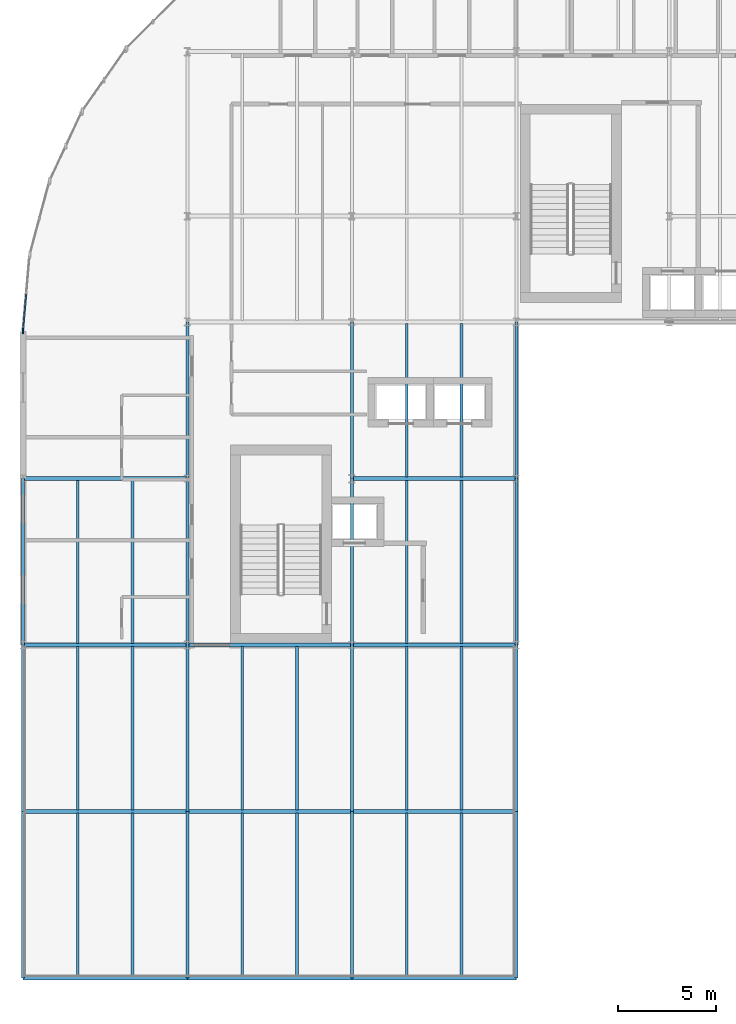
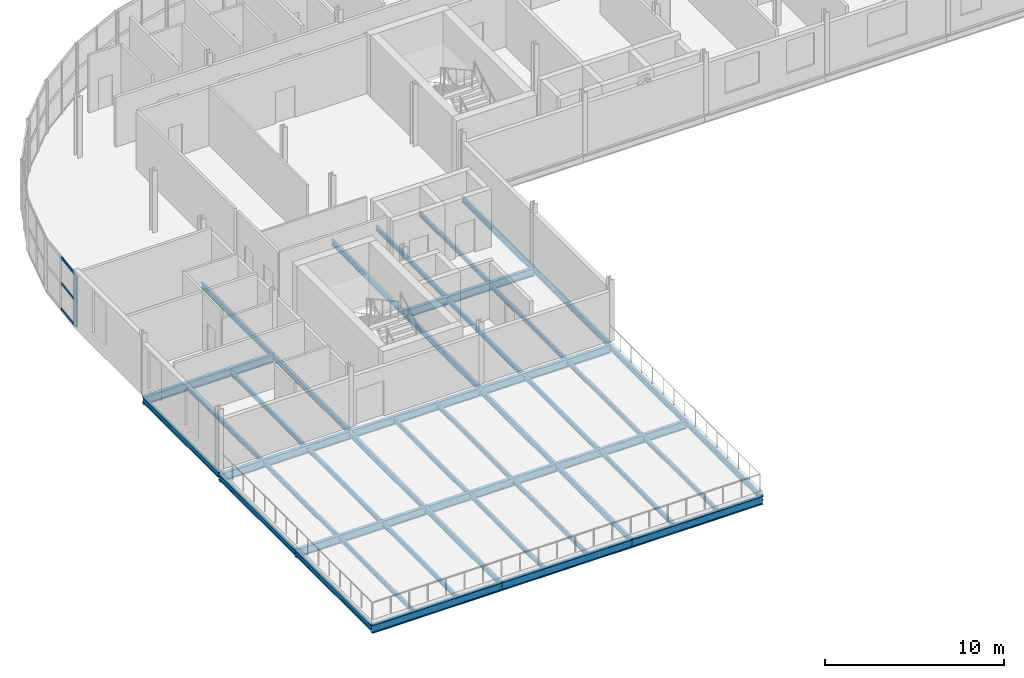
# One storey, part 4 of 22: 44 beams, 4 members, 1 element without a shape of its own.
"""IFC4 building model written with IfcOpenShell, lengths in metres."""

from ifc_helpers import new_model, si_unit, direction, frame, origin, origin_2d, place, context, subcontext, project, spatial, rectangle, i_section, extrude, material, layer, layer_set, material_profile, profile_set, type_object, element, aggregate, save


model = new_model("IFC4")

# Units and contexts
model_context = context("Model", 3, precision=1e-05, world=origin(), true_north=direction((0.0, 1.0)))
body_context = subcontext(model_context, "Body", "Model", "MODEL_VIEW")
ifc_project = project(units=[si_unit("LENGTHUNIT", "METRE"), si_unit("AREAUNIT", "SQUARE_METRE"), si_unit("VOLUMEUNIT", "CUBIC_METRE"), si_unit("PLANEANGLEUNIT", "RADIAN"), si_unit("MASSUNIT", "GRAM", prefix="KILO")], contexts=[model_context])

# Site, building, storey
site_placement = place(None, origin())
site = spatial("IfcSite", under=ifc_project, at=site_placement, CompositionType="ELEMENT")
building_placement = place(site_placement, origin())
building = spatial("IfcBuilding", under=site, at=building_placement, Name="Sefraquen Railside Congress Hotel", CompositionType="ELEMENT")
storey_placement = place(building_placement, frame((0.0, 0.0, 42.60009765625)))
storey = spatial("IfcBuildingStorey", under=building, at=storey_placement, Name="L10", CompositionType="ELEMENT", Elevation=42.60009765625)

# Beams
ifc_material_1 = material(Name="Steel S355JR", Category="steel")
ifc_material_profile_1 = material_profile(ifc_material_1, i_section(OverallWidth=0.169921875, OverallDepth=0.360107421875, WebThickness=0.008056640625, FlangeThickness=0.0126953125, FilletRadius=0.01806640625, at=origin_2d()), Name="IPE 360")
ifc_profile_set_1 = profile_set([ifc_material_profile_1], Name="Steel S355JR")
beam_type_1 = type_object("IfcBeamType", Name="TB-BM-360", PredefinedType="BEAM", material=ifc_profile_set_1)
for number, where, z_axis, x_axis, name in (
    (1, (0.0, 62.5, -0.5), (0.0, 1.0, 0.0), (-1.0, 0.0, 0.0), "Floor beam BM-L10-2100"),
    (2, (0.0, 71.0, -0.5), (0.0, 1.0, 0.0), (-1.0, 0.0, 0.0), "Floor beam BM-L10-2101"),
    (3, (0.0, 79.5, -0.400146484375), (0.0, 1.0, 0.0), (-1.0, 0.0, 0.0), "Floor beam BM-L10-2102"),
    (4, (8.39990234375, 62.5, -0.5), (0.0, 1.0, 0.0), (-1.0, 0.0, 0.0), "Floor beam BM-L10-2103"),
    (5, (8.39990234375, 71.0, -0.5), (0.0, 1.0, 0.0), (-1.0, 0.0, 0.0), "Floor beam BM-L10-2104"),
    (6, (8.39990234375, 79.5, -0.400146484375), (0.0, 1.0, 0.0), (-1.0, 0.0, 0.0), "Floor beam BM-L10-2105"),
):
    element("IfcBeam", number, at=place(storey_placement, frame(where, z_axis=z_axis, x_axis=x_axis)), inside=storey, type_object=beam_type_1, Name=name, PredefinedType="BEAM", context=body_context, shape_type="SweptSolid", body=[
        extrude(i_section(OverallWidth=0.169921875, OverallDepth=0.360107421875, WebThickness=0.008056640625, FlangeThickness=0.0126953125, FilletRadius=0.01806640625, at=origin_2d()), origin(), (0.0, 0.0, 1.0), 8.5),
    ])
beam_1_placement = place(storey_placement, frame((8.39990234375, 88.0, -0.400146484375), z_axis=(0.0, 1.0, 0.0), x_axis=(-1.0, 0.0, 0.0)))
element("IfcBeam", 7, at=beam_1_placement, inside=storey, type_object=beam_type_1, Name="Floor beam BM-L10-2106", PredefinedType="BEAM", context=body_context, shape_type="SweptSolid", body=[
    extrude(i_section(OverallWidth=0.169921875, OverallDepth=0.360107421875, WebThickness=0.008056640625, FlangeThickness=0.0126953125, FilletRadius=0.01806640625, at=origin_2d()), origin(), (0.0, 0.0, 1.0), 8.0),
])
for number, where, z_axis, x_axis, name in (
    (8, (16.800048828125, 62.5, -0.5), (0.0, 1.0, 0.0), (-1.0, 0.0, 0.0), "Floor beam BM-L10-2109"),
    (9, (16.800048828125, 71.0, -0.5), (0.0, 1.0, 0.0), (-1.0, 0.0, 0.0), "Floor beam BM-L10-2110"),
    (10, (16.800048828125, 79.5, -0.400146484375), (0.0, 1.0, 0.0), (-1.0, 0.0, 0.0), "Floor beam BM-L10-2111"),
):
    element("IfcBeam", number, at=place(storey_placement, frame(where, z_axis=z_axis, x_axis=x_axis)), inside=storey, type_object=beam_type_1, Name=name, PredefinedType="BEAM", context=body_context, shape_type="SweptSolid", body=[
        extrude(i_section(OverallWidth=0.169921875, OverallDepth=0.360107421875, WebThickness=0.008056640625, FlangeThickness=0.0126953125, FilletRadius=0.01806640625, at=origin_2d()), origin(), (0.0, 0.0, 1.0), 8.5),
    ])
beam_2_placement = place(storey_placement, frame((16.800048828125, 88.0, -0.400146484375), z_axis=(0.0, 1.0, 0.0), x_axis=(-1.0, 0.0, 0.0)))
element("IfcBeam", 11, at=beam_2_placement, inside=storey, type_object=beam_type_1, Name="Floor beam BM-L10-2112", PredefinedType="BEAM", context=body_context, shape_type="SweptSolid", body=[
    extrude(i_section(OverallWidth=0.169921875, OverallDepth=0.360107421875, WebThickness=0.008056640625, FlangeThickness=0.0126953125, FilletRadius=0.01806640625, at=origin_2d()), origin(), (0.0, 0.0, 1.0), 8.0),
])
for number, where, z_axis, x_axis, name in (
    (12, (25.199951171875, 62.5, -0.5), (0.0, 1.0, 0.0), (-1.0, 0.0, 0.0), "Floor beam BM-L10-2115"),
    (13, (25.199951171875, 71.0, -0.5), (0.0, 1.0, 0.0), (-1.0, 0.0, 0.0), "Floor beam BM-L10-2116"),
    (14, (25.199951171875, 79.5, -0.400146484375), (0.0, 1.0, 0.0), (-1.0, 0.0, 0.0), "Floor beam BM-L10-2117"),
):
    element("IfcBeam", number, at=place(storey_placement, frame(where, z_axis=z_axis, x_axis=x_axis)), inside=storey, type_object=beam_type_1, Name=name, PredefinedType="BEAM", context=body_context, shape_type="SweptSolid", body=[
        extrude(i_section(OverallWidth=0.169921875, OverallDepth=0.360107421875, WebThickness=0.008056640625, FlangeThickness=0.0126953125, FilletRadius=0.01806640625, at=origin_2d()), origin(), (0.0, 0.0, 1.0), 8.5),
    ])
beam_3_placement = place(storey_placement, frame((25.199951171875, 88.0, -0.400146484375), z_axis=(0.0, 1.0, 0.0), x_axis=(-1.0, 0.0, 0.0)))
element("IfcBeam", 15, at=beam_3_placement, inside=storey, type_object=beam_type_1, Name="Floor beam BM-L10-2118", PredefinedType="BEAM", context=body_context, shape_type="SweptSolid", body=[
    extrude(i_section(OverallWidth=0.169921875, OverallDepth=0.360107421875, WebThickness=0.008056640625, FlangeThickness=0.0126953125, FilletRadius=0.01806640625, at=origin_2d()), origin(), (0.0, 0.0, 1.0), 8.0),
])
ifc_material_profile_2 = material_profile(ifc_material_1, i_section(OverallWidth=0.2099609375, OverallDepth=0.550048828125, WebThickness=0.010986328125, FlangeThickness=0.01708984375, FilletRadius=0.02392578125, at=origin_2d()), Name="IPE 550")
ifc_profile_set_2 = profile_set([ifc_material_profile_2], Name="Steel S355JR")
beam_type_2 = type_object("IfcBeamType", Name="TB-GIR-550", PredefinedType="T_BEAM", material=ifc_profile_set_2)
beam_4_placement = place(storey_placement, frame((0.0, 62.5, -0.59521484375), z_axis=(1.0, 0.0, 0.0), x_axis=(0.0, 1.0, 0.0)))
element("IfcBeam", 16, at=beam_4_placement, inside=storey, type_object=beam_type_2, Name="Primary girder BM-L10-2049", PredefinedType="T_BEAM", context=body_context, shape_type="SweptSolid", body=[
    extrude(i_section(OverallWidth=0.2099609375, OverallDepth=0.550048828125, WebThickness=0.010986328125, FlangeThickness=0.01708984375, FilletRadius=0.02392578125, at=origin_2d()), origin(), (0.0, 0.0, 1.0), 8.39990234375),
])
beam_5_placement = place(storey_placement, frame((8.39990234375, 62.5, -0.59521484375), z_axis=(1.0, 0.0, 0.0), x_axis=(0.0, 1.0, 0.0)))
element("IfcBeam", 17, at=beam_5_placement, inside=storey, type_object=beam_type_2, Name="Primary girder BM-L10-2050", PredefinedType="T_BEAM", context=body_context, shape_type="SweptSolid", body=[
    extrude(i_section(OverallWidth=0.2099609375, OverallDepth=0.550048828125, WebThickness=0.010986328125, FlangeThickness=0.01708984375, FilletRadius=0.02392578125, at=origin_2d()), origin(), (0.0, 0.0, 1.0), 8.400146484375),
])
for number, where, z_axis, x_axis, name in (
    (18, (16.800048828125, 62.5, -0.59521484375), (1.0, 0.0, 0.0), (0.0, 1.0, 0.0), "Primary girder BM-L10-2051"),
    (19, (0.0, 71.0, -0.59521484375), (1.0, 0.0, 0.0), (0.0, 1.0, 0.0), "Primary girder BM-L10-2052"),
):
    element("IfcBeam", number, at=place(storey_placement, frame(where, z_axis=z_axis, x_axis=x_axis)), inside=storey, type_object=beam_type_2, Name=name, PredefinedType="T_BEAM", context=body_context, shape_type="SweptSolid", body=[
        extrude(i_section(OverallWidth=0.2099609375, OverallDepth=0.550048828125, WebThickness=0.010986328125, FlangeThickness=0.01708984375, FilletRadius=0.02392578125, at=origin_2d()), origin(), (0.0, 0.0, 1.0), 8.39990234375),
    ])
beam_6_placement = place(storey_placement, frame((8.39990234375, 71.0, -0.59521484375), z_axis=(1.0, 0.0, 0.0), x_axis=(0.0, 1.0, 0.0)))
element("IfcBeam", 20, at=beam_6_placement, inside=storey, type_object=beam_type_2, Name="Primary girder BM-L10-2053", PredefinedType="T_BEAM", context=body_context, shape_type="SweptSolid", body=[
    extrude(i_section(OverallWidth=0.2099609375, OverallDepth=0.550048828125, WebThickness=0.010986328125, FlangeThickness=0.01708984375, FilletRadius=0.02392578125, at=origin_2d()), origin(), (0.0, 0.0, 1.0), 8.400146484375),
])
for number, where, z_axis, x_axis, name in (
    (21, (16.800048828125, 71.0, -0.59521484375), (1.0, 0.0, 0.0), (0.0, 1.0, 0.0), "Primary girder BM-L10-2054"),
    (22, (0.0, 79.5, -0.59521484375), (1.0, 0.0, 0.0), (0.0, 1.0, 0.0), "Primary girder BM-L10-2055"),
):
    element("IfcBeam", number, at=place(storey_placement, frame(where, z_axis=z_axis, x_axis=x_axis)), inside=storey, type_object=beam_type_2, Name=name, PredefinedType="T_BEAM", context=body_context, shape_type="SweptSolid", body=[
        extrude(i_section(OverallWidth=0.2099609375, OverallDepth=0.550048828125, WebThickness=0.010986328125, FlangeThickness=0.01708984375, FilletRadius=0.02392578125, at=origin_2d()), origin(), (0.0, 0.0, 1.0), 8.39990234375),
    ])
beam_7_placement = place(storey_placement, frame((8.39990234375, 79.5, -0.59521484375), z_axis=(1.0, 0.0, 0.0), x_axis=(0.0, 1.0, 0.0)))
element("IfcBeam", 23, at=beam_7_placement, inside=storey, type_object=beam_type_2, Name="Primary girder BM-L10-2056", PredefinedType="T_BEAM", context=body_context, shape_type="SweptSolid", body=[
    extrude(i_section(OverallWidth=0.2099609375, OverallDepth=0.550048828125, WebThickness=0.010986328125, FlangeThickness=0.01708984375, FilletRadius=0.02392578125, at=origin_2d()), origin(), (0.0, 0.0, 1.0), 8.400146484375),
])
for number, where, z_axis, x_axis, name in (
    (24, (16.800048828125, 79.5, -0.59521484375), (1.0, 0.0, 0.0), (0.0, 1.0, 0.0), "Primary girder BM-L10-2057"),
    (25, (0.0, 88.0, -0.4951171875), (1.0, 0.0, 0.0), (0.0, 1.0, 0.0), "Primary girder BM-L10-2058"),
    (26, (16.800048828125, 88.0, -0.4951171875), (1.0, 0.0, 0.0), (0.0, 1.0, 0.0), "Primary girder BM-L10-2059"),
):
    element("IfcBeam", number, at=place(storey_placement, frame(where, z_axis=z_axis, x_axis=x_axis)), inside=storey, type_object=beam_type_2, Name=name, PredefinedType="T_BEAM", context=body_context, shape_type="SweptSolid", body=[
        extrude(i_section(OverallWidth=0.2099609375, OverallDepth=0.550048828125, WebThickness=0.010986328125, FlangeThickness=0.01708984375, FilletRadius=0.02392578125, at=origin_2d()), origin(), (0.0, 0.0, 1.0), 8.39990234375),
    ])
ifc_material_profile_3 = material_profile(ifc_material_1, i_section(OverallWidth=0.14990234375, OverallDepth=0.300048828125, WebThickness=0.007080078125, FlangeThickness=0.0107421875, FilletRadius=0.014892578125, at=origin_2d()), Name="IPE 300")
ifc_profile_set_3 = profile_set([ifc_material_profile_3], Name="Steel S355JR")
beam_type_3 = type_object("IfcBeamType", Name="TB-JST-300", PredefinedType="JOIST", material=ifc_profile_set_3)
for number, where, z_axis, x_axis, name in (
    (27, (2.800048828125, 62.5849609375, -0.47021484375), (0.0, 1.0, 0.0), (-1.0, 0.0, 0.0), "Composite floor joist BM-L10-J1396"),
    (28, (5.60009765625, 62.5849609375, -0.47021484375), (0.0, 1.0, 0.0), (-1.0, 0.0, 0.0), "Composite floor joist BM-L10-J1397"),
    (29, (2.800048828125, 71.0849609375, -0.47021484375), (0.0, 1.0, 0.0), (-1.0, 0.0, 0.0), "Composite floor joist BM-L10-J1398"),
    (30, (5.60009765625, 71.0849609375, -0.47021484375), (0.0, 1.0, 0.0), (-1.0, 0.0, 0.0), "Composite floor joist BM-L10-J1399"),
    (31, (2.800048828125, 79.5849609375, -0.47021484375), (0.0, 1.0, 0.0), (-1.0, 0.0, 0.0), "Composite floor joist BM-L10-J1400"),
    (32, (5.60009765625, 79.5849609375, -0.47021484375), (0.0, 1.0, 0.0), (-1.0, 0.0, 0.0), "Composite floor joist BM-L10-J1401"),
    (33, (11.199951171875, 62.5849609375, -0.47021484375), (0.0, 1.0, 0.0), (-1.0, 0.0, 0.0), "Composite floor joist BM-L10-J1402"),
    (34, (14.0, 62.5849609375, -0.47021484375), (0.0, 1.0, 0.0), (-1.0, 0.0, 0.0), "Composite floor joist BM-L10-J1403"),
    (35, (11.199951171875, 71.0849609375, -0.47021484375), (0.0, 1.0, 0.0), (-1.0, 0.0, 0.0), "Composite floor joist BM-L10-J1404"),
    (36, (14.0, 71.0849609375, -0.47021484375), (0.0, 1.0, 0.0), (-1.0, 0.0, 0.0), "Composite floor joist BM-L10-J1405"),
    (37, (19.60009765625, 62.5849609375, -0.47021484375), (0.0, 1.0, 0.0), (-1.0, 0.0, 0.0), "Composite floor joist BM-L10-J1410"),
    (38, (22.39990234375, 62.5849609375, -0.47021484375), (0.0, 1.0, 0.0), (-1.0, 0.0, 0.0), "Composite floor joist BM-L10-J1411"),
    (39, (19.60009765625, 71.0849609375, -0.47021484375), (0.0, 1.0, 0.0), (-1.0, 0.0, 0.0), "Composite floor joist BM-L10-J1412"),
    (40, (22.39990234375, 71.0849609375, -0.47021484375), (0.0, 1.0, 0.0), (-1.0, 0.0, 0.0), "Composite floor joist BM-L10-J1413"),
    (41, (19.60009765625, 79.5849609375, -0.47021484375), (0.0, 1.0, 0.0), (-1.0, 0.0, 0.0), "Composite floor joist BM-L10-J1414"),
    (42, (22.39990234375, 79.5849609375, -0.47021484375), (0.0, 1.0, 0.0), (-1.0, 0.0, 0.0), "Composite floor joist BM-L10-J1415"),
):
    element("IfcBeam", number, at=place(storey_placement, frame(where, z_axis=z_axis, x_axis=x_axis)), inside=storey, type_object=beam_type_3, Name=name, PredefinedType="JOIST", context=body_context, shape_type="SweptSolid", body=[
        extrude(i_section(OverallWidth=0.14990234375, OverallDepth=0.300048828125, WebThickness=0.007080078125, FlangeThickness=0.0107421875, FilletRadius=0.014892578125, at=origin_2d()), origin(), (0.0, 0.0, 1.0), 8.330078125),
    ])
for number, where, z_axis, x_axis, name in (
    (43, (19.60009765625, 88.0849609375, -0.3701171875), (0.0, 1.0, 0.0), (-1.0, 0.0, 0.0), "Composite floor joist BM-L10-J1416"),
    (44, (22.39990234375, 88.0849609375, -0.3701171875), (0.0, 1.0, 0.0), (-1.0, 0.0, 0.0), "Composite floor joist BM-L10-J1417"),
):
    element("IfcBeam", number, at=place(storey_placement, frame(where, z_axis=z_axis, x_axis=x_axis)), inside=storey, type_object=beam_type_3, Name=name, PredefinedType="JOIST", context=body_context, shape_type="SweptSolid", body=[
        extrude(i_section(OverallWidth=0.14990234375, OverallDepth=0.300048828125, WebThickness=0.007080078125, FlangeThickness=0.0107421875, FilletRadius=0.014892578125, at=origin_2d()), origin(), (0.0, 0.0, 1.0), 7.830078125),
    ])

# Curtain wall, members
ifc_material_2 = material(Name="Thermally broken anodised aluminium and low-E double glazing", Category="aluminium")
ifc_layer = layer(ifc_material_2, 0.199951171875)
ifc_layer_set = layer_set([ifc_layer], Name="Thermally broken anodised aluminium and low-E double glazing")
curtain_wall_type = type_object("IfcCurtainWallType", Name="TCW-UCW-03", PredefinedType="USERDEFINED", material=ifc_layer_set)
curtain_wall_placement = place(storey_placement, origin())
curtain_wall = element("IfcCurtainWall", 45, at=curtain_wall_placement, inside=storey, type_object=curtain_wall_type, Name="Rotunda L10 curved curtain wall facet 9", ObjectType="UNITISED CURTAIN WALL", PredefinedType="USERDEFINED")
ifc_material_3 = material(Name="Thermally broken anodised aluminium 6063-T6", Category="aluminium")
ifc_material_profile_4 = material_profile(ifc_material_3, rectangle(XDim=0.094970703125, YDim=0.300048828125, at=origin_2d()), Name="CWM 95x300")
ifc_profile_set_4 = profile_set([ifc_material_profile_4], Name="Thermally broken anodised aluminium 6063-T6")
member_type_1 = type_object("IfcMemberType", Name="TM-CWM-08", PredefinedType="MULLION", material=ifc_profile_set_4)
member_1_placement = place(storey_placement, frame((0.00341796875, 95.539794921875, 0.0), z_axis=(0.0, 0.0, 1.0), x_axis=(1.0, 0.0, 0.0)))
member_1 = element("IfcMember", 46, at=member_1_placement, type_object=member_type_1, Name="CW-L10-ROT-09 mullion 3", PredefinedType="MULLION", context=body_context, shape_type="SweptSolid", body=[
    extrude(rectangle(XDim=0.094970703125, YDim=0.300048828125, at=origin_2d()), origin(), (0.0, 0.0, 1.0), 3.489990234375),
])
ifc_material_profile_5 = material_profile(ifc_material_3, rectangle(XDim=0.070068359375, YDim=0.14990234375, at=origin_2d()), Name="CWT 70x150")
ifc_profile_set_5 = profile_set([ifc_material_profile_5], Name="Thermally broken anodised aluminium 6063-T6")
member_type_2 = type_object("IfcMemberType", Name="TM-CWT-03", PredefinedType="USERDEFINED", material=ifc_profile_set_5)
member_2_placement = place(storey_placement, frame((0.1669921875, 97.40869140625, 0.0), z_axis=(-0.08720499447, -0.996190387898, 0.0), x_axis=(0.996190387898, -0.08720499447, 0.0)))
member_2 = element("IfcMember", 47, at=member_2_placement, type_object=member_type_2, Name="CW-L10-ROT-09 transom 1.2", ObjectType="TRANSOM", PredefinedType="USERDEFINED", context=body_context, shape_type="SweptSolid", body=[
    extrude(rectangle(XDim=0.070068359375, YDim=0.14990234375, at=origin_2d()), origin(), (0.0, 0.0, 1.0), 1.8310546875),
])
member_3_placement = place(storey_placement, frame((0.1669921875, 97.40869140625, 1.744873046875), z_axis=(-0.08720499447, -0.996190387898, 0.0), x_axis=(0.996190387898, -0.08720499447, 0.0)))
member_3 = element("IfcMember", 48, at=member_3_placement, type_object=member_type_2, Name="CW-L10-ROT-09 transom 2.2", ObjectType="TRANSOM", PredefinedType="USERDEFINED", context=body_context, shape_type="SweptSolid", body=[
    extrude(rectangle(XDim=0.070068359375, YDim=0.14990234375, at=origin_2d()), origin(), (0.0, 0.0, 1.0), 1.8310546875),
])
member_4_placement = place(storey_placement, frame((0.1669921875, 97.40869140625, 3.489990234375), z_axis=(-0.08720499447, -0.996190387898, 0.0), x_axis=(0.996190387898, -0.08720499447, 0.0)))
member_4 = element("IfcMember", 49, at=member_4_placement, type_object=member_type_2, Name="CW-L10-ROT-09 transom 3.2", ObjectType="TRANSOM", PredefinedType="USERDEFINED", context=body_context, shape_type="SweptSolid", body=[
    extrude(rectangle(XDim=0.070068359375, YDim=0.14990234375, at=origin_2d()), origin(), (0.0, 0.0, 1.0), 1.8310546875),
])
aggregate(curtain_wall, [member_1, member_2, member_3, member_4])

save(model, "model.ifc")
